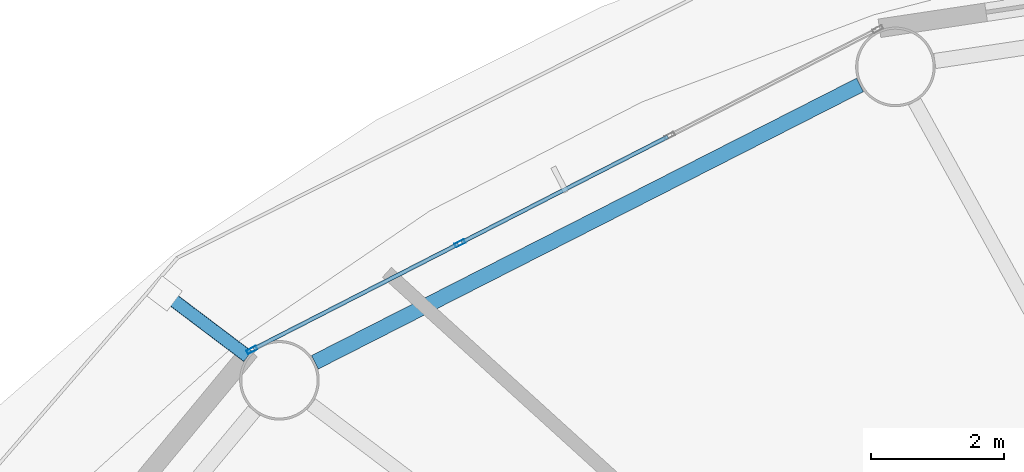
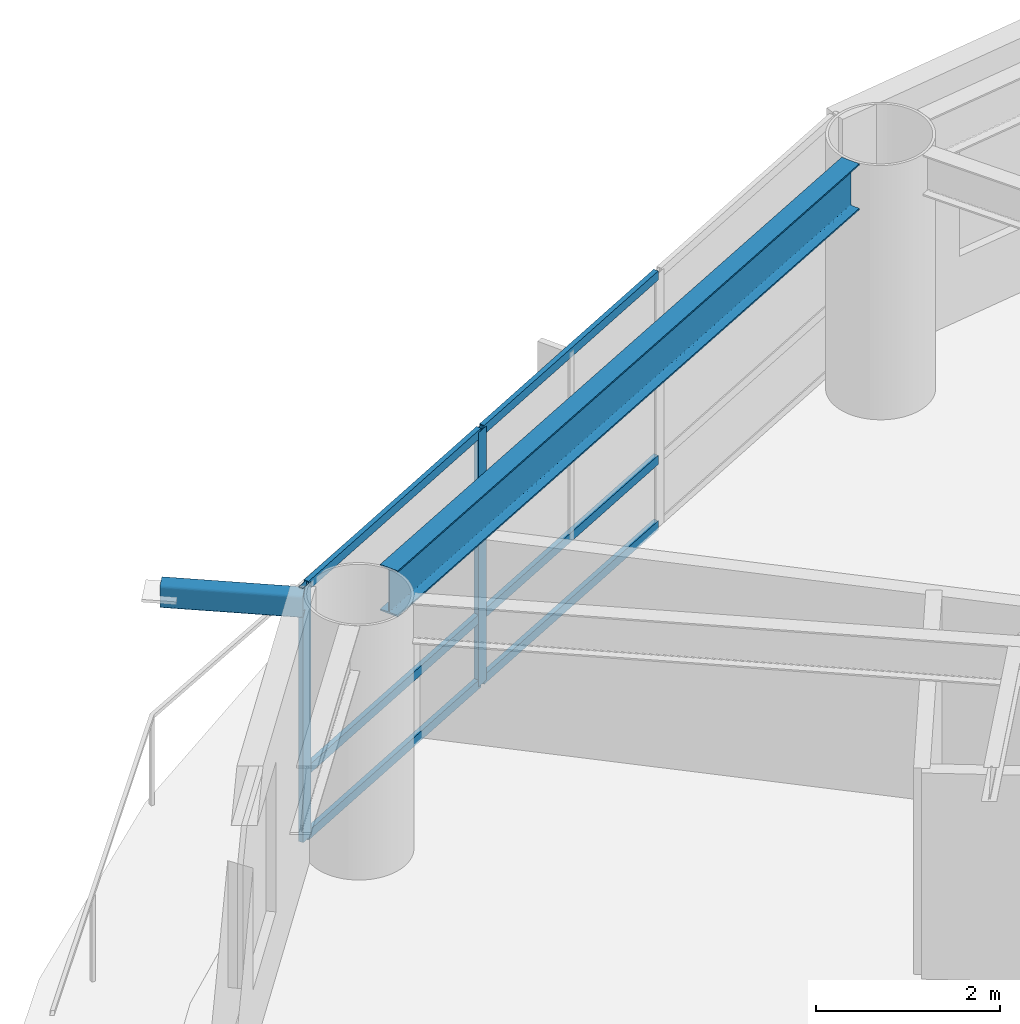
# One storey, part 8 of 24: 9 members, 1 beam, 1 element without a shape of its own.
"""IFC4 building model written with IfcOpenShell, lengths in metres."""

from ifc_helpers import new_model, si_unit, direction, frame, origin, origin_2d, place, context, subcontext, project, spatial, hollow_rectangle, i_section, extrude, material, layer, layer_set, material_profile, profile_set, type_object, element, aggregate, save


model = new_model("IFC4")

# Units and contexts
model_context = context("Model", 3, precision=1e-05, world=origin(), true_north=direction((0.0, 1.0)))
body_context = subcontext(model_context, "Body", "Model", "MODEL_VIEW")
ifc_project = project(units=[si_unit("LENGTHUNIT", "METRE"), si_unit("AREAUNIT", "SQUARE_METRE"), si_unit("VOLUMEUNIT", "CUBIC_METRE"), si_unit("PLANEANGLEUNIT", "RADIAN"), si_unit("MASSUNIT", "GRAM", prefix="KILO")], contexts=[model_context])

# Site, building, storey
site_placement = place(None, origin())
site = spatial("IfcSite", under=ifc_project, at=site_placement, CompositionType="ELEMENT")
building_placement = place(site_placement, origin())
building = spatial("IfcBuilding", under=site, at=building_placement, Name="Sarneth Arch Tower", CompositionType="ELEMENT")
storey_placement = place(building_placement, frame((0.0, 0.0, 112.800048828125)))
storey = spatial("IfcBuildingStorey", under=building, at=storey_placement, Name="L28", CompositionType="ELEMENT", Elevation=112.800048828125)

# Beam
ifc_material_1 = material(Name="Steel S355", Category="steel")
ifc_material_profile_1 = material_profile(ifc_material_1, i_section(OverallWidth=0.22900390625, OverallDepth=0.612060546875, WebThickness=0.011962890625, FlangeThickness=0.01953125, FilletRadius=0.01904296875, at=origin_2d()), Name="W610x125")
ifc_profile_set_1 = profile_set([ifc_material_profile_1], Name="Steel S355")
beam_type = type_object("IfcBeamType", Name="BM-SPAN-610C", PredefinedType="SPANDREL", material=ifc_profile_set_1)
beam_placement = place(storey_placement, frame((36.35498046875, 61.868408203125, 3.073974609375), z_axis=(-0.891259443414, -0.453493775619, 0.0), x_axis=(0.453493775619, -0.891259443414, 0.0)))
element("IfcBeam", 1, at=beam_placement, inside=storey, type_object=beam_type, Name="L28 Perimeter spandrel beam 06", PredefinedType="SPANDREL", context=body_context, shape_type="SweptSolid", body=[
    extrude(i_section(OverallWidth=0.22900390625, OverallDepth=0.612060546875, WebThickness=0.011962890625, FlangeThickness=0.01953125, FilletRadius=0.01904296875, at=origin_2d()), origin(), (0.0, 0.0, 1.0), 9.220458984375),
])

# Curtain wall, members
ifc_material_2 = material(Name="Anodised aluminium Type AA25 and solar-control low-e laminated IGU", Category="aluminium")
ifc_layer = layer(ifc_material_2, 0.159912109375)
ifc_layer_set = layer_set([ifc_layer], Name="Anodised aluminium Type AA25 and solar-control low-e laminated IGU")
curtain_wall_type = type_object("IfcCurtainWallType", Name="CW-HOTEL-MID", PredefinedType="NOTDEFINED", material=ifc_layer_set)
curtain_wall_placement = place(storey_placement, origin())
curtain_wall = element("IfcCurtainWall", 2, at=curtain_wall_placement, inside=storey, type_object=curtain_wall_type, Name="L28 Unitised curtain wall facet 06", PredefinedType="NOTDEFINED")
ifc_material_3 = material(Name="Anodised Aluminium 6063-T6", Category="aluminium")
ifc_material_profile_2 = material_profile(ifc_material_3, hollow_rectangle(XDim=0.06005859375, YDim=0.159912109375, WallThickness=0.00390625, at=origin_2d()), Name="AL-MULL-160x60x4")
ifc_profile_set_2 = profile_set([ifc_material_profile_2], Name="Anodised Aluminium 6063-T6")
member_type_1 = type_object("IfcMemberType", Name="CW-MULLION", PredefinedType="MULLION", material=ifc_profile_set_2)
member_1_placement = place(storey_placement, frame((30.322998046875, 59.481201171875, 0.0), z_axis=(0.0, 0.0, 1.0), x_axis=(0.456031365356, -0.889963703649, 0.0)))
member_1 = element("IfcMember", 3, at=member_1_placement, type_object=member_type_1, Name="CW-SYS-4 mullion 3", PredefinedType="MULLION", context=body_context, shape_type="SweptSolid", body=[
    extrude(hollow_rectangle(XDim=0.06005859375, YDim=0.159912109375, WallThickness=0.00390625, at=origin_2d()), origin(), (0.0, 0.0, 1.0), 3.3798828125),
])
member_2_placement = place(storey_placement, frame((27.186767578125, 57.8740234375, 0.0), z_axis=(0.0, 0.0, 1.0), x_axis=(0.456031365356, -0.889963703649, 0.0)))
member_2 = element("IfcMember", 4, at=member_2_placement, type_object=member_type_1, Name="CW-SYS-4 mullion 4", PredefinedType="MULLION", context=body_context, shape_type="SweptSolid", body=[
    extrude(hollow_rectangle(XDim=0.06005859375, YDim=0.159912109375, WallThickness=0.00390625, at=origin_2d()), origin(), (0.0, 0.0, 1.0), 3.3798828125),
])
ifc_material_4 = material(Name="Anodised Aluminium 6063-T6", Category="aluminium")
ifc_material_profile_3 = material_profile(ifc_material_4, hollow_rectangle(XDim=0.06005859375, YDim=0.1201171875, WallThickness=0.00390625, at=origin_2d()), Name="AL-TRAN-120x60x4")
ifc_profile_set_3 = profile_set([ifc_material_profile_3], Name="Anodised Aluminium 6063-T6")
member_type_2 = type_object("IfcMemberType", Name="CW-TRANSOM", PredefinedType="USERDEFINED", material=ifc_profile_set_3)
member_3_placement = place(storey_placement, frame((33.459228515625, 61.088134765625, 0.030029296875), z_axis=(-0.889981813856, -0.455996020823, 0.0), x_axis=(0.455996020823, -0.889981813856, 0.0)))
member_3 = element("IfcMember", 5, at=member_3_placement, type_object=member_type_2, Name="CW-SYS-4 transom 2.1", ObjectType="TRANSOM", PredefinedType="USERDEFINED", context=body_context, shape_type="SweptSolid", body=[
    extrude(hollow_rectangle(XDim=0.06005859375, YDim=0.1201171875, WallThickness=0.00390625, at=origin_2d()), origin(), (0.0, 0.0, 1.0), 3.494140625),
])
member_4_placement = place(storey_placement, frame((33.459228515625, 61.088134765625, 0.89990234375), z_axis=(-0.889981813856, -0.455996020823, 0.0), x_axis=(0.455996020823, -0.889981813856, 0.0)))
member_4 = element("IfcMember", 6, at=member_4_placement, type_object=member_type_2, Name="CW-SYS-4 transom 2.2", ObjectType="TRANSOM", PredefinedType="USERDEFINED", context=body_context, shape_type="SweptSolid", body=[
    extrude(hollow_rectangle(XDim=0.06005859375, YDim=0.1201171875, WallThickness=0.00390625, at=origin_2d()), origin(), (0.0, 0.0, 1.0), 3.494140625),
])
member_5_placement = place(storey_placement, frame((33.459228515625, 61.088134765625, 3.349853515625), z_axis=(-0.889981813856, -0.455996020823, 0.0), x_axis=(0.455996020823, -0.889981813856, 0.0)))
member_5 = element("IfcMember", 7, at=member_5_placement, type_object=member_type_2, Name="CW-SYS-4 transom 2.3", ObjectType="TRANSOM", PredefinedType="USERDEFINED", context=body_context, shape_type="SweptSolid", body=[
    extrude(hollow_rectangle(XDim=0.06005859375, YDim=0.1201171875, WallThickness=0.00390625, at=origin_2d()), origin(), (0.0, 0.0, 1.0), 3.494140625),
])
member_6_placement = place(storey_placement, frame((30.296142578125, 59.467529296875, 0.030029296875), z_axis=(-0.889942905184, -0.456071952122, 0.0), x_axis=(0.456071952122, -0.889942905184, 0.0)))
member_6 = element("IfcMember", 8, at=member_6_placement, type_object=member_type_2, Name="CW-SYS-4 transom 3.1", ObjectType="TRANSOM", PredefinedType="USERDEFINED", context=body_context, shape_type="SweptSolid", body=[
    extrude(hollow_rectangle(XDim=0.06005859375, YDim=0.1201171875, WallThickness=0.00390625, at=origin_2d()), origin(), (0.0, 0.0, 1.0), 3.464111328125),
])
member_7_placement = place(storey_placement, frame((30.296142578125, 59.467529296875, 0.89990234375), z_axis=(-0.889942905184, -0.456071952122, 0.0), x_axis=(0.456071952122, -0.889942905184, 0.0)))
member_7 = element("IfcMember", 9, at=member_7_placement, type_object=member_type_2, Name="CW-SYS-4 transom 3.2", ObjectType="TRANSOM", PredefinedType="USERDEFINED", context=body_context, shape_type="SweptSolid", body=[
    extrude(hollow_rectangle(XDim=0.06005859375, YDim=0.1201171875, WallThickness=0.00390625, at=origin_2d()), origin(), (0.0, 0.0, 1.0), 3.464111328125),
])
member_8_placement = place(storey_placement, frame((30.296142578125, 59.467529296875, 3.349853515625), z_axis=(-0.889942905184, -0.456071952122, 0.0), x_axis=(0.456071952122, -0.889942905184, 0.0)))
member_8 = element("IfcMember", 10, at=member_8_placement, type_object=member_type_2, Name="CW-SYS-4 transom 3.3", ObjectType="TRANSOM", PredefinedType="USERDEFINED", context=body_context, shape_type="SweptSolid", body=[
    extrude(hollow_rectangle(XDim=0.06005859375, YDim=0.1201171875, WallThickness=0.00390625, at=origin_2d()), origin(), (0.0, 0.0, 1.0), 3.464111328125),
])
aggregate(curtain_wall, [member_1, member_2, member_3, member_4, member_5, member_6, member_7, member_8])

# Member
ifc_material_5 = material(Name="Steel S355", Category="steel")
ifc_material_profile_4 = material_profile(ifc_material_5, hollow_rectangle(XDim=0.199951171875, YDim=0.300048828125, WallThickness=0.012451171875, InnerFilletRadius=0.018798828125, OuterFilletRadius=0.03125, at=origin_2d()), Name="RHS300x200x12.5")
ifc_profile_set_4 = profile_set([ifc_material_profile_4], Name="Steel S355")
member_type_3 = type_object("IfcMemberType", Name="MEM-CANT-STRUT", PredefinedType="STRUT", material=ifc_profile_set_4)
member_9_placement = place(storey_placement, frame((27.123779296875, 57.776611328125, 3.219970703125), z_axis=(-0.797812498133, 0.602905645871, 0.0), x_axis=(-0.602905645871, -0.797812498133, 0.0)))
element("IfcMember", 11, at=member_9_placement, inside=storey, type_object=member_type_3, Name="L28 Balcony cantilever bracket 07", PredefinedType="STRUT", context=body_context, shape_type="SweptSolid", body=[
    extrude(hollow_rectangle(XDim=0.199951171875, YDim=0.300048828125, WallThickness=0.012451171875, InnerFilletRadius=0.018798828125, OuterFilletRadius=0.03125, at=origin_2d()), origin(), (0.0, 0.0, 1.0), 1.57080078125),
])

save(model, "model.ifc")
